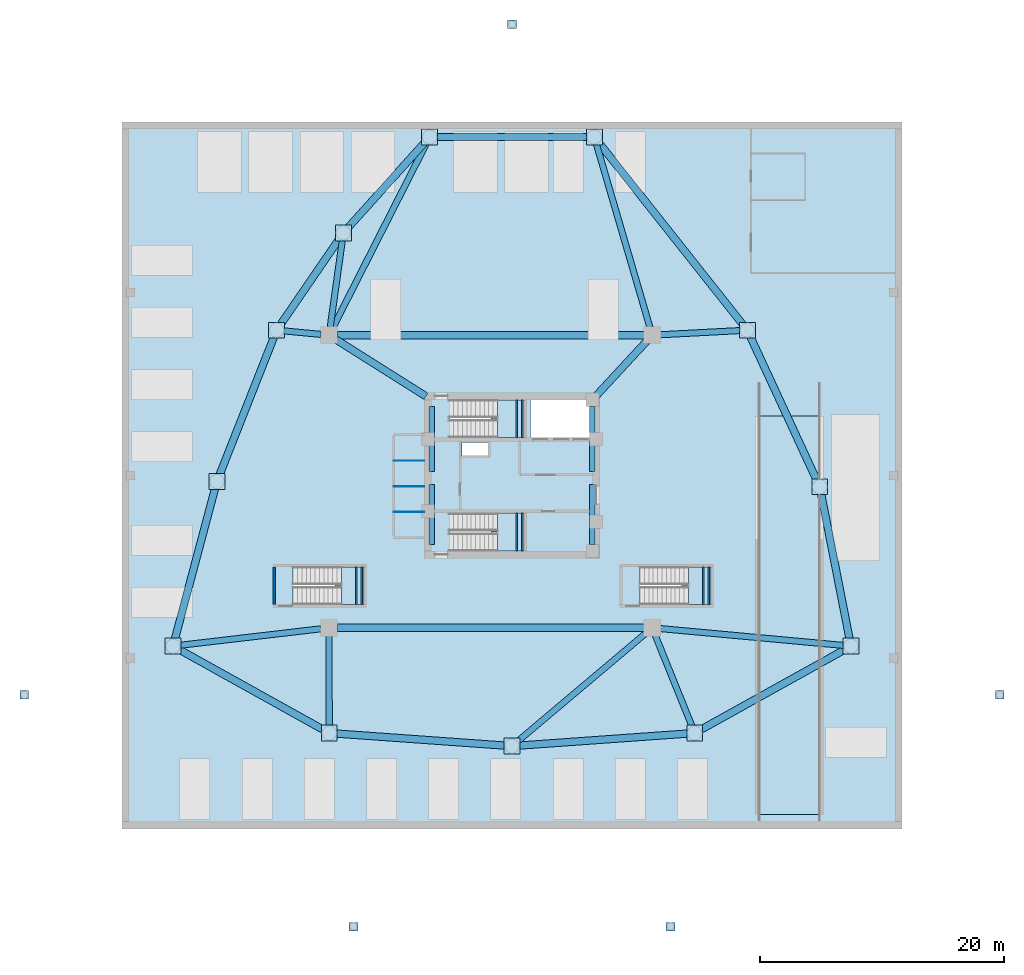
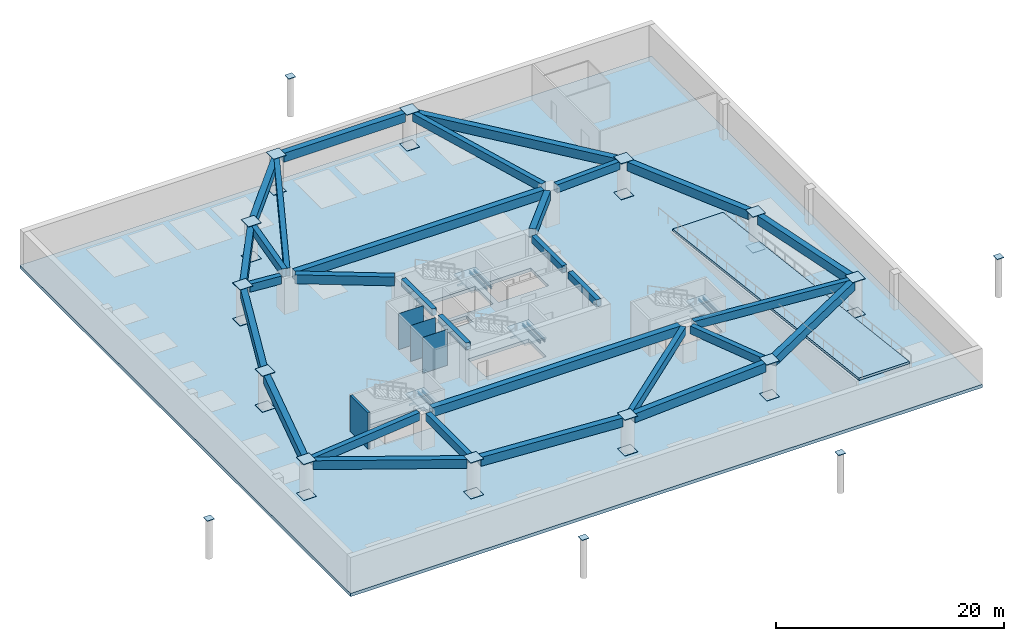
# One storey, part 3 of 9: 38 beams, 32 plates, 6 slabs, 1 wall, 4 elements without a shape of their own.
"""IFC4 building model written with IfcOpenShell, lengths in metres."""

from ifc_helpers import new_model, si_unit, direction, frame, frame_2d, origin, origin_2d, place, context, subcontext, project, spatial, polyline, rectangle, i_section, outline, extrude, source, transform, mapped, material, layer, layer_set, material_profile, profile_set, type_object, type_shapes, element, aggregate, save


model = new_model("IFC4")

# Units and contexts
model_context = context("Model", 3, precision=1e-05, world=origin(), true_north=direction((0.0, 1.0)))
body_context = subcontext(model_context, "Body", "Model", "MODEL_VIEW")
ifc_project = project(units=[si_unit("LENGTHUNIT", "METRE"), si_unit("AREAUNIT", "SQUARE_METRE"), si_unit("VOLUMEUNIT", "CUBIC_METRE"), si_unit("PLANEANGLEUNIT", "RADIAN"), si_unit("MASSUNIT", "GRAM", prefix="KILO")], contexts=[model_context])

# Site, building, storey
site_placement = place(None, origin())
site = spatial("IfcSite", under=ifc_project, at=site_placement, CompositionType="ELEMENT")
building_placement = place(site_placement, origin())
building = spatial("IfcBuilding", under=site, at=building_placement, Name="Tavelor Broadcast Tower", CompositionType="ELEMENT")
storey_placement = place(building_placement, frame((0.0, 0.0, -4.199951171875)))
storey = spatial("IfcBuildingStorey", under=building, at=storey_placement, Name="B01", CompositionType="ELEMENT", Elevation=-4.199951171875)

# Beams
ifc_material_1 = material(Name="Concrete C40/50", Category="concrete")
ifc_material_profile_1 = material_profile(ifc_material_1, rectangle(XDim=0.449951171875, YDim=0.75, at=origin_2d()), Name="RC 450x750")
ifc_profile_set_1 = profile_set([ifc_material_profile_1], Name="Concrete C40/50")
beam_type_1 = type_object("IfcBeamType", Name="Basement Core Trim Beam 450x750", PredefinedType="BEAM", material=ifc_profile_set_1)
for number, where, z_axis, x_axis, name in (
    (1, (43.39990234375, 45.327880859375, 3.474853515625), (0.0, 1.0, 0.0), (-1.0, 0.0, 0.0), "B01 Core West-N Tie Girder"),
    (2, (56.60009765625, 45.327880859375, 3.474853515625), (0.0, 1.0, 0.0), (-1.0, 0.0, 0.0), "B01 Core East-N Tie Girder"),
):
    element("IfcBeam", number, at=place(storey_placement, frame(where, z_axis=z_axis, x_axis=x_axis)), inside=storey, type_object=beam_type_1, Name=name, PredefinedType="BEAM", context=body_context, shape_type="SweptSolid", body=[
        extrude(rectangle(XDim=0.449951171875, YDim=0.75, at=origin_2d()), origin(), (0.0, 0.0, 1.0), 5.34423828125),
    ])
for number, where, z_axis, x_axis, name in (
    (3, (43.39990234375, 39.327880859375, 3.474853515625), (0.0, 1.0, 0.0), (-1.0, 0.0, 0.0), "B01 Core West-S Tie Girder"),
    (4, (56.60009765625, 39.327880859375, 3.474853515625), (0.0, 1.0, 0.0), (-1.0, 0.0, 0.0), "B01 Core East-S Tie Girder"),
):
    element("IfcBeam", number, at=place(storey_placement, frame(where, z_axis=z_axis, x_axis=x_axis)), inside=storey, type_object=beam_type_1, Name=name, PredefinedType="BEAM", context=body_context, shape_type="SweptSolid", body=[
        extrude(rectangle(XDim=0.449951171875, YDim=0.75, at=origin_2d()), origin(), (0.0, 0.0, 1.0), 4.944091796875),
    ])
ifc_material_profile_2 = material_profile(ifc_material_1, rectangle(XDim=0.60009765625, YDim=0.949951171875, at=origin_2d()), Name="RC 600x950")
ifc_profile_set_2 = profile_set([ifc_material_profile_2], Name="Concrete C40/50")
beam_type_2 = type_object("IfcBeamType", Name="Basement RC Primary Girder 600x950", PredefinedType="BEAM", material=ifc_profile_set_2)
for number, where, z_axis, x_axis, name in (
    (5, (35.679931640625, 32.5, 3.375), (1.0, 0.0, 0.0), (0.0, 1.0, 0.0), "B01 Inner Ring Girder 1"),
    (6, (60.820068359375, 56.5, 3.375), (-1.0, 0.0, 0.0), (0.0, -1.0, 0.0), "B01 Inner Ring Girder 3"),
):
    element("IfcBeam", number, at=place(storey_placement, frame(where, z_axis=z_axis, x_axis=x_axis)), inside=storey, type_object=beam_type_2, Name=name, PredefinedType="BEAM", context=body_context, shape_type="SweptSolid", body=[
        extrude(rectangle(XDim=0.60009765625, YDim=0.949951171875, at=origin_2d()), origin(), (0.0, 0.0, 1.0), 25.14013671875),
    ])
beam_1_placement = place(storey_placement, frame((61.038330078125, 56.000732421875, 3.375), z_axis=(-0.678838365395, -0.734287732205, 0.0), x_axis=(0.734287732205, -0.678838365395, 0.0)))
element("IfcBeam", 7, at=beam_1_placement, inside=storey, type_object=beam_type_2, Name="B01 Core Radial Girder 3", PredefinedType="BEAM", context=body_context, shape_type="SweptSolid", body=[
    extrude(rectangle(XDim=0.60009765625, YDim=0.949951171875, at=origin_2d()), origin(), (0.0, 0.0, 1.0), 6.010009765625),
])
beam_2_placement = place(storey_placement, frame((35.5751953125, 56.13720703125, 3.375), z_axis=(0.845723551993, -0.533621282938, 0.0), x_axis=(0.533621282938, 0.845723551993, 0.0)))
element("IfcBeam", 8, at=beam_2_placement, inside=storey, type_object=beam_type_2, Name="B01 Core Radial Girder 4", PredefinedType="BEAM", context=body_context, shape_type="SweptSolid", body=[
    extrude(rectangle(XDim=0.60009765625, YDim=0.949951171875, at=origin_2d()), origin(), (0.0, 0.0, 1.0), 8.724365234375),
])
beam_3_placement = place(storey_placement, frame((42.85888671875, 72.320068359375, 3.375), z_axis=(-0.669215412935, -0.74306845653, 0.0), x_axis=(0.74306845653, -0.669215412935, 0.0)))
element("IfcBeam", 9, at=beam_3_placement, inside=storey, type_object=beam_type_2, Name="B01 Outer Ring Girder 1", PredefinedType="BEAM", context=body_context, shape_type="SweptSolid", body=[
    extrude(rectangle(XDim=0.60009765625, YDim=0.949951171875, at=origin_2d()), origin(), (0.0, 0.0, 1.0), 9.414794921875),
])
beam_4_placement = place(storey_placement, frame((35.84228515625, 64.414794921875, 3.375), z_axis=(-0.565364008772, -0.82484152271, 0.0), x_axis=(0.82484152271, -0.565364008772, 0.0)))
element("IfcBeam", 10, at=beam_4_placement, inside=storey, type_object=beam_type_2, Name="B01 Outer Ring Girder 2", PredefinedType="BEAM", context=body_context, shape_type="SweptSolid", body=[
    extrude(rectangle(XDim=0.60009765625, YDim=0.949951171875, at=origin_2d()), origin(), (0.0, 0.0, 1.0), 8.516845703125),
])
beam_5_placement = place(storey_placement, frame((30.486083984375, 56.37158203125, 3.375), z_axis=(-0.367164709683, -0.930155941745, 0.0), x_axis=(0.930155941745, -0.367164709683, 0.0)))
element("IfcBeam", 11, at=beam_5_placement, inside=storey, type_object=beam_type_2, Name="B01 Outer Ring Girder 3", PredefinedType="BEAM", context=body_context, shape_type="SweptSolid", body=[
    extrude(rectangle(XDim=0.60009765625, YDim=0.949951171875, at=origin_2d()), origin(), (0.0, 0.0, 1.0), 12.182861328125),
])
beam_6_placement = place(storey_placement, frame((25.650634765625, 43.939697265625, 3.375), z_axis=(-0.257669766751, -0.966233041922, 0.0), x_axis=(0.966233041922, -0.257669766751, 0.0)))
element("IfcBeam", 12, at=beam_6_placement, inside=storey, type_object=beam_type_2, Name="B01 Outer Ring Girder 4", PredefinedType="BEAM", context=body_context, shape_type="SweptSolid", body=[
    extrude(rectangle(XDim=0.60009765625, YDim=0.949951171875, at=origin_2d()), origin(), (0.0, 0.0, 1.0), 12.81201171875),
])
beam_7_placement = place(storey_placement, frame((22.706787109375, 30.718017578125, 3.375), z_axis=(0.873837244076, -0.486218542289, 0.0), x_axis=(0.486218542289, 0.873837244076, 0.0)))
element("IfcBeam", 13, at=beam_7_placement, inside=storey, type_object=beam_type_2, Name="B01 Outer Ring Girder 5", PredefinedType="BEAM", context=body_context, shape_type="SweptSolid", body=[
    extrude(rectangle(XDim=0.60009765625, YDim=0.949951171875, at=origin_2d()), origin(), (0.0, 0.0, 1.0), 13.501953125),
])
for number, where, z_axis, x_axis, name in (
    (14, (35.590576171875, 23.82958984375, 3.375), (0.997456822591, -0.07127332647, 0.0), (0.07127332647, 0.997456822591, 0.0), "B01 Outer Ring Girder 6"),
    (15, (50.57861328125, 22.84130859375, 3.375), (0.997456822591, 0.07127332647, 0.0), (-0.07127332647, 0.997456822591, 0.0), "B01 Outer Ring Girder 7"),
):
    element("IfcBeam", number, at=place(storey_placement, frame(where, z_axis=z_axis, x_axis=x_axis)), inside=storey, type_object=beam_type_2, Name=name, PredefinedType="BEAM", context=body_context, shape_type="SweptSolid", body=[
        extrude(rectangle(XDim=0.60009765625, YDim=0.949951171875, at=origin_2d()), origin(), (0.0, 0.0, 1.0), 13.865966796875),
    ])
beam_8_placement = place(storey_placement, frame((65.49462890625, 24.153076171875, 3.375), z_axis=(0.873837244076, 0.486218542289, 0.0), x_axis=(-0.486218542289, 0.873837244076, 0.0)))
element("IfcBeam", 16, at=beam_8_placement, inside=storey, type_object=beam_type_2, Name="B01 Outer Ring Girder 8", PredefinedType="BEAM", context=body_context, shape_type="SweptSolid", body=[
    extrude(rectangle(XDim=0.60009765625, YDim=0.949951171875, at=origin_2d()), origin(), (0.0, 0.0, 1.0), 13.501953125),
])
beam_9_placement = place(storey_placement, frame((77.688720703125, 31.569091796875, 3.375), z_axis=(-0.192144879801, 0.981366570231, 0.0), x_axis=(-0.981366570231, -0.192144879801, 0.0)))
element("IfcBeam", 17, at=beam_9_placement, inside=storey, type_object=beam_type_2, Name="B01 Outer Ring Girder 9", PredefinedType="BEAM", context=body_context, shape_type="SweptSolid", body=[
    extrude(rectangle(XDim=0.60009765625, YDim=0.949951171875, at=origin_2d()), origin(), (0.0, 0.0, 1.0), 12.158447265625),
])
beam_10_placement = place(storey_placement, frame((74.997802734375, 44.596435546875, 3.375), z_axis=(-0.419873312524, 0.90758272429, 0.0), x_axis=(-0.90758272429, -0.419873312524, 0.0)))
element("IfcBeam", 18, at=beam_10_placement, inside=storey, type_object=beam_type_2, Name="B01 Outer Ring Girder 10", PredefinedType="BEAM", context=body_context, shape_type="SweptSolid", body=[
    extrude(rectangle(XDim=0.60009765625, YDim=0.949951171875, at=origin_2d()), origin(), (0.0, 0.0, 1.0), 12.98876953125),
])
beam_11_placement = place(storey_placement, frame((68.940673828125, 57.36572265625, 3.375), z_axis=(-0.620945854653, 0.783853459257, 0.0), x_axis=(-0.783853459257, -0.620945854653, 0.0)))
element("IfcBeam", 19, at=beam_11_placement, inside=storey, type_object=beam_type_2, Name="B01 Outer Ring Girder 11", PredefinedType="BEAM", context=body_context, shape_type="SweptSolid", body=[
    extrude(rectangle(XDim=0.60009765625, YDim=0.949951171875, at=origin_2d()), origin(), (0.0, 0.0, 1.0), 19.0478515625),
])
beam_12_placement = place(storey_placement, frame((56.1728515625, 72.7509765625, 3.375), z_axis=(-1.0, 0.0, 0.0), x_axis=(0.0, -1.0, 0.0)))
element("IfcBeam", 20, at=beam_12_placement, inside=storey, type_object=beam_type_2, Name="B01 Outer Ring Girder 12", PredefinedType="BEAM", context=body_context, shape_type="SweptSolid", body=[
    extrude(rectangle(XDim=0.60009765625, YDim=0.949951171875, at=origin_2d()), origin(), (0.0, 0.0, 1.0), 12.345703125),
])
ifc_material_profile_3 = material_profile(ifc_material_1, rectangle(XDim=0.5, YDim=0.85009765625, at=origin_2d()), Name="RC 500x850")
ifc_profile_set_3 = profile_set([ifc_material_profile_3], Name="Concrete C40/50")
beam_type_3 = type_object("IfcBeamType", Name="Basement RC Secondary Beam 500x850", PredefinedType="BEAM", material=ifc_profile_set_3)
beam_13_placement = place(storey_placement, frame((35.3076171875, 57.1064453125, 3.425048828125), z_axis=(0.45254782721, 0.891740132599, 0.0), x_axis=(-0.891740132599, 0.45254782721, 0.0)))
element("IfcBeam", 21, at=beam_13_placement, inside=storey, type_object=beam_type_3, Name="B01 Radial Spoke Girder 1", PredefinedType="BEAM", context=body_context, shape_type="SweptSolid", body=[
    extrude(rectangle(XDim=0.5, YDim=0.85009765625, at=origin_2d()), origin(), (0.0, 0.0, 1.0), 16.9638671875),
])
beam_14_placement = place(storey_placement, frame((35.093994140625, 57.173583984375, 3.425048828125), z_axis=(0.138070971987, 0.990422337538, 0.0), x_axis=(-0.990422337538, 0.138070971987, 0.0)))
element("IfcBeam", 22, at=beam_14_placement, inside=storey, type_object=beam_type_3, Name="B01 Radial Spoke Girder 2", PredefinedType="BEAM", context=body_context, shape_type="SweptSolid", body=[
    extrude(rectangle(XDim=0.5, YDim=0.85009765625, at=origin_2d()), origin(), (0.0, 0.0, 1.0), 7.21435546875),
])
beam_15_placement = place(storey_placement, frame((34.322998046875, 56.564697265625, 3.425048828125), z_axis=(-0.995460626314, 0.095174268889, 0.0), x_axis=(-0.095174268889, -0.995460626314, 0.0)))
element("IfcBeam", 23, at=beam_15_placement, inside=storey, type_object=beam_type_3, Name="B01 Radial Spoke Girder 3", PredefinedType="BEAM", context=body_context, shape_type="SweptSolid", body=[
    extrude(rectangle(XDim=0.5, YDim=0.85009765625, at=origin_2d()), origin(), (0.0, 0.0, 1.0), 3.060302734375),
])
beam_16_placement = place(storey_placement, frame((34.32470703125, 32.4208984375, 3.425048828125), z_axis=(-0.993201817643, -0.116405109127, 0.0), x_axis=(0.116405109127, -0.993201817643, 0.0)))
element("IfcBeam", 24, at=beam_16_placement, inside=storey, type_object=beam_type_3, Name="B01 Radial Spoke Girder 5", PredefinedType="BEAM", context=body_context, shape_type="SweptSolid", body=[
    extrude(rectangle(XDim=0.5, YDim=0.85009765625, at=origin_2d()), origin(), (0.0, 0.0, 1.0), 11.627685546875),
])
beam_17_placement = place(storey_placement, frame((35.0009765625, 31.820068359375, 3.425048828125), z_axis=(0.00139146433, -0.999999031913, 0.0), x_axis=(0.999999031913, 0.00139146433, 0.0)))
element("IfcBeam", 25, at=beam_17_placement, inside=storey, type_object=beam_type_3, Name="B01 Radial Spoke Girder 6", PredefinedType="BEAM", context=body_context, shape_type="SweptSolid", body=[
    extrude(rectangle(XDim=0.5, YDim=0.85009765625, at=origin_2d()), origin(), (0.0, 0.0, 1.0), 7.369140625),
])
beam_18_placement = place(storey_placement, frame((60.980224609375, 32.0615234375, 3.425048828125), z_axis=(-0.764399771003, -0.644742576608, 0.0), x_axis=(0.644742576608, -0.764399771003, 0.0)))
element("IfcBeam", 26, at=beam_18_placement, inside=storey, type_object=beam_type_3, Name="B01 Radial Spoke Girder 7", PredefinedType="BEAM", context=body_context, shape_type="SweptSolid", body=[
    extrude(rectangle(XDim=0.5, YDim=0.85009765625, at=origin_2d()), origin(), (0.0, 0.0, 1.0), 13.784423828125),
])
beam_19_placement = place(storey_placement, frame((61.7548828125, 31.86962890625, 3.425048828125), z_axis=(0.374735912078, -0.927131595945, 0.0), x_axis=(0.927131595945, 0.374735912078, 0.0)))
element("IfcBeam", 27, at=beam_19_placement, inside=storey, type_object=beam_type_3, Name="B01 Radial Spoke Girder 8", PredefinedType="BEAM", context=body_context, shape_type="SweptSolid", body=[
    extrude(rectangle(XDim=0.5, YDim=0.85009765625, at=origin_2d()), origin(), (0.0, 0.0, 1.0), 8.04736328125),
])
beam_20_placement = place(storey_placement, frame((62.177001953125, 32.437744140625, 3.425048828125), z_axis=(0.995791126224, -0.09165169357, 0.0), x_axis=(0.09165169357, 0.995791126224, 0.0)))
element("IfcBeam", 28, at=beam_20_placement, inside=storey, type_object=beam_type_3, Name="B01 Radial Spoke Girder 9", PredefinedType="BEAM", context=body_context, shape_type="SweptSolid", body=[
    extrude(rectangle(XDim=0.5, YDim=0.85009765625, at=origin_2d()), origin(), (0.0, 0.0, 1.0), 15.10888671875),
])
beam_21_placement = place(storey_placement, frame((62.17919921875, 56.535888671875, 3.425048828125), z_axis=(0.998614739388, 0.052617509218, 0.0), x_axis=(-0.052617509218, 0.998614739388, 0.0)))
element("IfcBeam", 29, at=beam_21_placement, inside=storey, type_object=beam_type_3, Name="B01 Radial Spoke Girder 11", PredefinedType="BEAM", context=body_context, shape_type="SweptSolid", body=[
    extrude(rectangle(XDim=0.5, YDim=0.85009765625, at=origin_2d()), origin(), (0.0, 0.0, 1.0), 6.551513671875),
])
beam_22_placement = place(storey_placement, frame((61.309326171875, 57.152587890625, 3.425048828125), z_axis=(-0.280403801571, 0.959882132381, 0.0), x_axis=(-0.959882132381, -0.280403801571, 0.0)))
element("IfcBeam", 30, at=beam_22_placement, inside=storey, type_object=beam_type_3, Name="B01 Radial Spoke Girder 12", PredefinedType="BEAM", context=body_context, shape_type="SweptSolid", body=[
    extrude(rectangle(XDim=0.5, YDim=0.85009765625, at=origin_2d()), origin(), (0.0, 0.0, 1.0), 15.67041015625),
])
ifc_material_2 = material(Name="Steel S355", Category="steel")
ifc_material_profile_4 = material_profile(ifc_material_2, i_section(OverallWidth=0.1201171875, OverallDepth=0.239990234375, WebThickness=0.006103515625, FlangeThickness=0.009765625, at=origin_2d()), Name="IPE 240")
ifc_profile_set_4 = profile_set([ifc_material_profile_4], Name="Steel S355")
beam_type_4 = type_object("IfcBeamType", Name="Stairwell Landing Support Trimmer Beam IPE240", PredefinedType="BEAM", material=ifc_profile_set_4)
for number, where, z_axis, x_axis, name in (
    (31, (50.385009765625, 48.06005859375, 1.784912109375), (0.0, 1.0, 0.0), (-1.0, 0.0, 0.0), "B01 Stair Landing Support Beam 3"),
    (32, (50.824951171875, 48.06005859375, 1.784912109375), (0.0, 1.0, 0.0), (-1.0, 0.0, 0.0), "B01 Stair Landing Support Beam 4"),
    (33, (50.385009765625, 38.760009765625, 1.784912109375), (0.0, 1.0, 0.0), (-1.0, 0.0, 0.0), "B01 Stair Landing Support Beam 217"),
    (34, (50.824951171875, 38.760009765625, 1.784912109375), (0.0, 1.0, 0.0), (-1.0, 0.0, 0.0), "B01 Stair Landing Support Beam 218"),
    (35, (37.235107421875, 34.360107421875, 1.784912109375), (0.0, 1.0, 0.0), (-1.0, 0.0, 0.0), "B01 Stair Landing Support Beam 413"),
    (36, (37.675048828125, 34.360107421875, 1.784912109375), (0.0, 1.0, 0.0), (-1.0, 0.0, 0.0), "B01 Stair Landing Support Beam 414"),
    (37, (65.68505859375, 34.360107421875, 1.784912109375), (0.0, 1.0, 0.0), (-1.0, 0.0, 0.0), "B01 Stair Landing Support Beam 441"),
    (38, (66.125, 34.360107421875, 1.784912109375), (0.0, 1.0, 0.0), (-1.0, 0.0, 0.0), "B01 Stair Landing Support Beam 442"),
):
    element("IfcBeam", number, at=place(storey_placement, frame(where, z_axis=z_axis, x_axis=x_axis)), inside=storey, type_object=beam_type_4, Name=name, PredefinedType="BEAM", context=body_context, shape_type="SweptSolid", body=[
        extrude(i_section(OverallWidth=0.1201171875, OverallDepth=0.239990234375, WebThickness=0.006103515625, FlangeThickness=0.009765625, at=origin_2d()), origin(), (0.0, 0.0, 1.0), 3.179931640625),
    ])

# Slab
ifc_layer_1 = layer(ifc_material_1, 0.35009765625)
ifc_layer_set_1 = layer_set([ifc_layer_1], Name="Concrete C40/50")
slab_type_1 = type_object("IfcSlabType", Name="Podium Structural Floor Slab 350 mm", PredefinedType="FLOOR", material=ifc_layer_set_1)
slab_1_placement = place(storey_placement, frame((0.0, 0.0, -0.35009765625)))
element("IfcSlab", 39, at=slab_1_placement, inside=storey, type_object=slab_type_1, Name="B01 Structural Floor Slab", PredefinedType="FLOOR", context=body_context, shape_type="SweptSolid", body=[
    extrude(outline(polyline([(18.0, 16.0), (82.0, 16.0), (82.0, 74.0), (18.0, 74.0), (18.0, 16.0)]), holes=[polyline([(37.845947265625, 37.49609375), (37.845947265625, 34.404052734375), (32.053955078125, 34.404052734375), (32.053955078125, 37.49609375), (37.845947265625, 37.49609375)]), polyline([(66.2958984375, 34.404052734375), (60.50390625, 34.404052734375), (60.50390625, 37.49609375), (66.2958984375, 37.49609375), (66.2958984375, 34.404052734375)]), polyline([(50.99609375, 38.803955078125), (44.85400390625, 38.803955078125), (44.85400390625, 41.89599609375), (50.99609375, 41.89599609375), (50.99609375, 38.803955078125)]), polyline([(48.050048828125, 47.699951171875), (48.050048828125, 46.64990234375), (45.89990234375, 46.64990234375), (45.89990234375, 47.699951171875), (48.050048828125, 47.699951171875)]), polyline([(50.99609375, 48.10400390625), (44.85400390625, 48.10400390625), (44.85400390625, 51.196044921875), (50.99609375, 51.196044921875), (50.99609375, 48.10400390625)]), polyline([(56.60009765625, 48.10009765625), (51.52001953125, 48.10009765625), (51.52001953125, 51.199951171875), (56.60009765625, 51.199951171875), (56.60009765625, 48.10009765625)])]), origin(), (0.0, 0.0, 1.0), 0.35009765625),
])

# Stair, slab
stair_type = type_object("IfcStairType", Name="Reinforced Concrete Protected Dogleg Stair 1450 mm", PredefinedType="HALF_TURN_STAIR", material=ifc_material_1)
stair_1_placement = place(storey_placement, origin())
stair_1 = element("IfcStair", 40, at=stair_1_placement, inside=storey, type_object=stair_type, Name="B01 Protected Core Exit Stair ST1", PredefinedType="HALF_TURN_STAIR")
ifc_layer_2 = layer(ifc_material_1, 0.199951171875)
ifc_layer_set_2 = layer_set([ifc_layer_2], Name="Concrete C40/50")
slab_type_2 = type_object("IfcSlabType", Name="Reinforced Concrete Stair Half-Landing Slab 200 mm", PredefinedType="LANDING", material=ifc_layer_set_2)
slab_2_placement = place(storey_placement, frame((0.0, 0.0, 1.89990234375)))
slab_2 = element("IfcSlab", 41, at=slab_2_placement, type_object=slab_type_2, Name="ST1 landing 1", PredefinedType="LANDING", context=body_context, shape_type="SweptSolid", body=[
    extrude(outline(polyline([(48.804931640625, 49.590087890625), (48.804931640625, 48.094970703125), (51.0048828125, 48.094970703125), (51.0048828125, 51.205078125), (48.804931640625, 51.205078125), (48.804931640625, 49.7099609375), (48.264892578125, 49.7099609375), (48.264892578125, 49.590087890625), (48.804931640625, 49.590087890625)])), origin(), (0.0, 0.0, 1.0), 0.199951171875),
])
aggregate(stair_1, [slab_2])

stair_2_placement = place(storey_placement, origin())
stair_2 = element("IfcStair", 42, at=stair_2_placement, inside=storey, type_object=stair_type, Name="B01 Protected Core Exit Stair ST2", PredefinedType="HALF_TURN_STAIR")
slab_3_placement = place(storey_placement, frame((0.0, 0.0, 1.89990234375)))
slab_3 = element("IfcSlab", 43, at=slab_3_placement, type_object=slab_type_2, Name="ST2 landing 1", PredefinedType="LANDING", context=body_context, shape_type="SweptSolid", body=[
    extrude(outline(polyline([(48.804931640625, 40.2900390625), (48.804931640625, 38.794921875), (51.0048828125, 38.794921875), (51.0048828125, 41.905029296875), (48.804931640625, 41.905029296875), (48.804931640625, 40.409912109375), (48.264892578125, 40.409912109375), (48.264892578125, 40.2900390625), (48.804931640625, 40.2900390625)])), origin(), (0.0, 0.0, 1.0), 0.199951171875),
])
aggregate(stair_2, [slab_3])

stair_3_placement = place(storey_placement, origin())
stair_3 = element("IfcStair", 44, at=stair_3_placement, inside=storey, type_object=stair_type, Name="B01 Podium West Exit Stair ST3", PredefinedType="HALF_TURN_STAIR")
slab_4_placement = place(storey_placement, frame((0.0, 0.0, 1.89990234375)))
slab_4 = element("IfcSlab", 45, at=slab_4_placement, type_object=slab_type_2, Name="ST3 landing 1", PredefinedType="LANDING", context=body_context, shape_type="SweptSolid", body=[
    extrude(outline(polyline([(36.0048828125, 35.889892578125), (36.0048828125, 34.39501953125), (37.85498046875, 34.39501953125), (37.85498046875, 37.5048828125), (36.0048828125, 37.5048828125), (36.0048828125, 36.010009765625), (35.465087890625, 36.010009765625), (35.465087890625, 35.889892578125), (36.0048828125, 35.889892578125)])), origin(), (0.0, 0.0, 1.0), 0.199951171875),
])
aggregate(stair_3, [slab_4])

stair_4_placement = place(storey_placement, origin())
stair_4 = element("IfcStair", 46, at=stair_4_placement, inside=storey, type_object=stair_type, Name="B01 Podium East Exit Stair ST4", PredefinedType="HALF_TURN_STAIR")
slab_5_placement = place(storey_placement, frame((0.0, 0.0, 1.89990234375)))
slab_5 = element("IfcSlab", 47, at=slab_5_placement, type_object=slab_type_2, Name="ST4 landing 1", PredefinedType="LANDING", context=body_context, shape_type="SweptSolid", body=[
    extrude(outline(polyline([(64.455078125, 35.889892578125), (64.455078125, 34.39501953125), (66.304931640625, 34.39501953125), (66.304931640625, 37.5048828125), (64.455078125, 37.5048828125), (64.455078125, 36.010009765625), (63.9150390625, 36.010009765625), (63.9150390625, 35.889892578125), (64.455078125, 35.889892578125)])), origin(), (0.0, 0.0, 1.0), 0.199951171875),
])
aggregate(stair_4, [slab_5])

# Slab
ifc_layer_3 = layer(ifc_material_1, 0.260009765625)
ifc_layer_set_3 = layer_set([ifc_layer_3], Name="Concrete C40/50")
slab_type_3 = type_object("IfcSlabType", Name="Reinforced Concrete Vehicle Ramp Structural Slab 260 mm", PredefinedType="FLOOR", material=ifc_layer_set_3)
slab_6_placement = place(storey_placement, frame((70.199951171875, 49.8798828125, 0.23095703125), z_axis=(0.0, 0.0, 1.0), x_axis=(0.0, -1.0, 0.0)))
element("IfcSlab", 48, at=slab_6_placement, inside=storey, type_object=slab_type_3, Name="Car Park Structural Vehicle Ramp Slab VR01 (Concrete C40/50 260 mm)", PredefinedType="FLOOR", context=body_context, shape_type="SweptSolid", body=[
    extrude(outline(polyline([(0.0, -0.260009765625), (32.679931640625, 3.576171875), (32.679931640625, 3.836181640625), (0.0, 0.0), (0.0, -0.260009765625)])), frame((0.0, 5.10009765625, 0.0), z_axis=(0.0, -1.0, 0.0), x_axis=(1.0, 0.0, 0.0)), (0.0, 0.0, 1.0), 5.10009765625),
])

# Plates
ifc_material_3 = material(Name="Steel S460", Category="steel")
ifc_layer_4 = layer(ifc_material_3, 0.050048828125)
ifc_layer_set_4 = layer_set([ifc_layer_4], Name="Steel S460")
plate_type_1 = type_object("IfcPlateType", Name="Tube Hollow-End Cap Plate KN05 700x700x50", PredefinedType="USERDEFINED", material=ifc_layer_set_4)
shared_shape_1 = source(origin(), body_context, "Body", "SweptSolid", [
    extrude(rectangle(XDim=1.299072265625, YDim=1.299072265625, at=origin_2d()), origin(), (0.0, 0.0, 1.0), 0.054931640625),
])
for number, where, z_axis, x_axis, name in (
    (49, (43.247314453125, 72.7509765625, -0.02734375), (0.0, 0.0, 1.0), (1.0, 0.0, 0.0), "B01 Hollow End Cap Plate KN05 #35"),
    (50, (43.247314453125, 72.7509765625, 3.822265625), (0.0, 0.0, 1.0), (1.0, 0.0, 0.0), "B01 Hollow End Cap Plate KN05 #36"),
    (51, (36.170166015625, 64.893310546875, -0.02734375), (0.0, 0.0, 1.0), (1.0, 0.0, 0.0), "B01 Hollow End Cap Plate KN05 #37"),
    (52, (36.170166015625, 64.893310546875, 3.822265625), (0.0, 0.0, 1.0), (1.0, 0.0, 0.0), "B01 Hollow End Cap Plate KN05 #38"),
    (53, (30.69921875, 56.9111328125, -0.02734375), (0.0, 0.0, 1.0), (1.0, 0.0, 0.0), "B01 Hollow End Cap Plate KN05 #39"),
    (54, (30.69921875, 56.9111328125, 3.822265625), (0.0, 0.0, 1.0), (1.0, 0.0, 0.0), "B01 Hollow End Cap Plate KN05 #40"),
    (55, (25.800048828125, 44.5, -0.02734375), (0.0, 0.0, 1.0), (1.0, 0.0, 0.0), "B01 Hollow End Cap Plate KN05 #41"),
    (56, (25.800048828125, 44.5, 3.822265625), (0.0, 0.0, 1.0), (1.0, 0.0, 0.0), "B01 Hollow End Cap Plate KN05 #42"),
    (57, (22.199951171875, 31.0, -0.02734375), (0.0, 0.0, 1.0), (1.0, 0.0, 0.0), "B01 Hollow End Cap Plate KN05 #43"),
    (58, (22.199951171875, 31.0, 3.822265625), (0.0, 0.0, 1.0), (1.0, 0.0, 0.0), "B01 Hollow End Cap Plate KN05 #44"),
    (59, (35.01220703125, 23.87109375, -0.02734375), (0.0, 0.0, 1.0), (1.0, 0.0, 0.0), "B01 Hollow End Cap Plate KN05 #45"),
    (60, (35.01220703125, 23.87109375, 3.822265625), (0.0, 0.0, 1.0), (1.0, 0.0, 0.0), "B01 Hollow End Cap Plate KN05 #46"),
    (61, (50.0, 22.800048828125, -0.02734375), (0.0, 0.0, 1.0), (1.0, 0.0, 0.0), "B01 Hollow End Cap Plate KN05 #47"),
    (62, (50.0, 22.800048828125, 3.822265625), (0.0, 0.0, 1.0), (1.0, 0.0, 0.0), "B01 Hollow End Cap Plate KN05 #48"),
    (63, (64.98779296875, 23.87109375, -0.02734375), (0.0, 0.0, 1.0), (1.0, 0.0, 0.0), "B01 Hollow End Cap Plate KN05 #49"),
    (64, (64.98779296875, 23.87109375, 3.822265625), (0.0, 0.0, 1.0), (1.0, 0.0, 0.0), "B01 Hollow End Cap Plate KN05 #50"),
    (65, (77.800048828125, 31.0, -0.02734375), (0.0, 0.0, 1.0), (1.0, 0.0, 0.0), "B01 Hollow End Cap Plate KN05 #51"),
    (66, (77.800048828125, 31.0, 3.822265625), (0.0, 0.0, 1.0), (1.0, 0.0, 0.0), "B01 Hollow End Cap Plate KN05 #52"),
    (67, (75.2412109375, 44.070068359375, -0.02734375), (0.0, 0.0, 1.0), (1.0, 0.0, 0.0), "B01 Hollow End Cap Plate KN05 #53"),
    (68, (75.2412109375, 44.070068359375, 3.822265625), (0.0, 0.0, 1.0), (1.0, 0.0, 0.0), "B01 Hollow End Cap Plate KN05 #54"),
    (69, (69.30078125, 56.9111328125, -0.02734375), (0.0, 0.0, 1.0), (1.0, 0.0, 0.0), "B01 Hollow End Cap Plate KN05 #55"),
    (70, (69.30078125, 56.9111328125, 3.822265625), (0.0, 0.0, 1.0), (1.0, 0.0, 0.0), "B01 Hollow End Cap Plate KN05 #56"),
    (71, (56.752685546875, 72.7509765625, -0.02734375), (0.0, 0.0, 1.0), (1.0, 0.0, 0.0), "B01 Hollow End Cap Plate KN05 #57"),
    (72, (56.752685546875, 72.7509765625, 3.822265625), (0.0, 0.0, 1.0), (1.0, 0.0, 0.0), "B01 Hollow End Cap Plate KN05 #58"),
):
    element("IfcPlate", number, at=place(storey_placement, frame(where, z_axis=z_axis, x_axis=x_axis)), inside=storey, type_object=plate_type_1, Name=name, ObjectType="CAP PLATE", PredefinedType="USERDEFINED", context=body_context, shape_type="MappedRepresentation", body=[
        mapped(shared_shape_1, transform((0.0, 0.0, 0.0), scale=1.0)),
    ])
shared_shape_2 = source(origin(), body_context, "Body", "SweptSolid", [
    extrude(rectangle(XDim=0.699951171875, YDim=0.699951171875, at=origin_2d()), origin(), (0.0, 0.0, 1.0), 0.054931640625),
])
type_shapes(plate_type_1, [shared_shape_1, shared_shape_2])
for number, where, z_axis, x_axis, name in (
    (73, (50.0, 82.0, 4.17236328125), (0.0, 0.0, 1.0), (1.0, 0.0, 0.0), "B01 Hollow End Cap Plate KN05 #59"),
    (74, (10.0, 27.0, 4.17236328125), (0.0, 0.0, 1.0), (1.0, 0.0, 0.0), "B01 Hollow End Cap Plate KN05 #60"),
    (75, (90.0, 27.0, 4.17236328125), (0.0, 0.0, 1.0), (1.0, 0.0, 0.0), "B01 Hollow End Cap Plate KN05 #61"),
    (76, (37.0, 8.0, 4.17236328125), (0.0, 0.0, 1.0), (1.0, 0.0, 0.0), "B01 Hollow End Cap Plate KN05 #62"),
    (77, (63.0, 8.0, 4.17236328125), (0.0, 0.0, 1.0), (1.0, 0.0, 0.0), "B01 Hollow End Cap Plate KN05 #63"),
):
    element("IfcPlate", number, at=place(storey_placement, frame(where, z_axis=z_axis, x_axis=x_axis)), inside=storey, type_object=plate_type_1, Name=name, ObjectType="CAP PLATE", PredefinedType="USERDEFINED", context=body_context, shape_type="MappedRepresentation", body=[
        mapped(shared_shape_2, transform((0.0, 0.0, 0.0), scale=1.0)),
    ])
ifc_layer_5 = layer(ifc_material_2, 0.011962890625)
ifc_layer_set_5 = layer_set([ifc_layer_5], Name="Steel S355")
plate_type_2 = type_object("IfcPlateType", Name="Hoistway Steel Separator Screen 12 mm", PredefinedType="SHEET", material=ifc_layer_set_5)
shared_shape_3 = source(origin(), body_context, "Body", "SweptSolid", [
    extrude(rectangle(XDim=2.52001953125, YDim=0.02001953125, at=origin_2d()), origin(), (0.0, 0.0, 1.0), 3.85009765625),
])
type_shapes(plate_type_2, [shared_shape_3])
for number, where, z_axis, x_axis, name in (
    (78, (41.56005859375, 42.0, 0.0), (0.0, 0.0, 1.0), (1.0, 0.0, 0.0), "B01 Low-Rise Hoistway Separator Screen 1"),
    (79, (41.56005859375, 44.10009765625, 0.0), (0.0, 0.0, 1.0), (1.0, 0.0, 0.0), "B01 Low-Rise Hoistway Separator Screen 2"),
    (80, (41.56005859375, 46.199951171875, 0.0), (0.0, 0.0, 1.0), (1.0, 0.0, 0.0), "B01 Low-Rise Hoistway Separator Screen 3"),
):
    element("IfcPlate", number, at=place(storey_placement, frame(where, z_axis=z_axis, x_axis=x_axis)), inside=storey, type_object=plate_type_2, Name=name, PredefinedType="SHEET", context=body_context, shape_type="MappedRepresentation", body=[
        mapped(shared_shape_3, transform((0.0, 0.0, 0.0), scale=1.0)),
    ])

# Wall
ifc_layer_6 = layer(ifc_material_1, 0.219970703125)
ifc_layer_set_6 = layer_set([ifc_layer_6], Name="Concrete C40/50")
wall_type = type_object("IfcWallType", Name="Structural Stairwell Shear Wall 220 mm", PredefinedType="SHEAR", material=ifc_layer_set_6)
wall_placement = place(storey_placement, frame((30.489990234375, 34.39990234375, 0.0), z_axis=(0.0, 0.0, 1.0), x_axis=(0.0, 1.0, 0.0)))
element("IfcWall", 81, at=wall_placement, inside=storey, type_object=wall_type, Name="B01 Stair ST3 Structural Shaft Wall W", PredefinedType="SHEAR", context=body_context, shape_type="SweptSolid", body=[
    extrude(rectangle(XDim=3.10009765625, YDim=0.219970703125, at=frame_2d((1.550048828125, 0.0))), origin(), (0.0, 0.0, 1.0), 3.849853515625),
])

save(model, "model.ifc")
